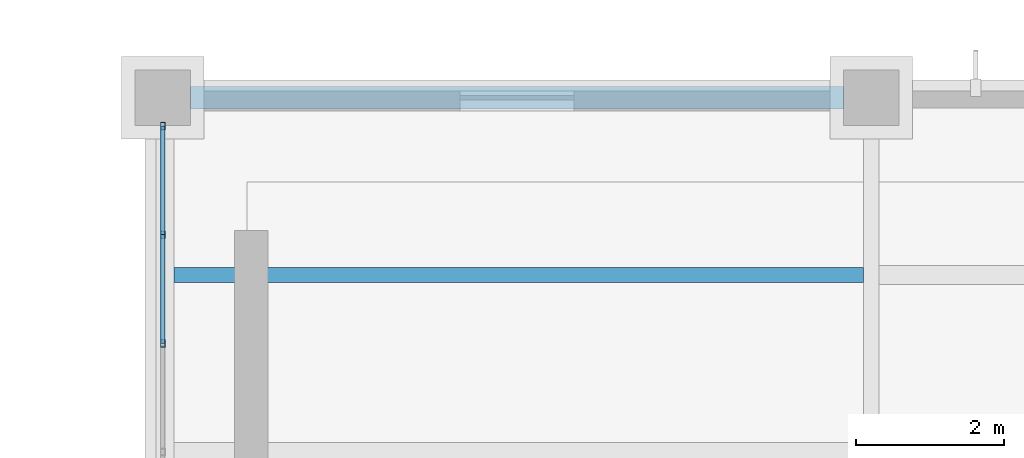
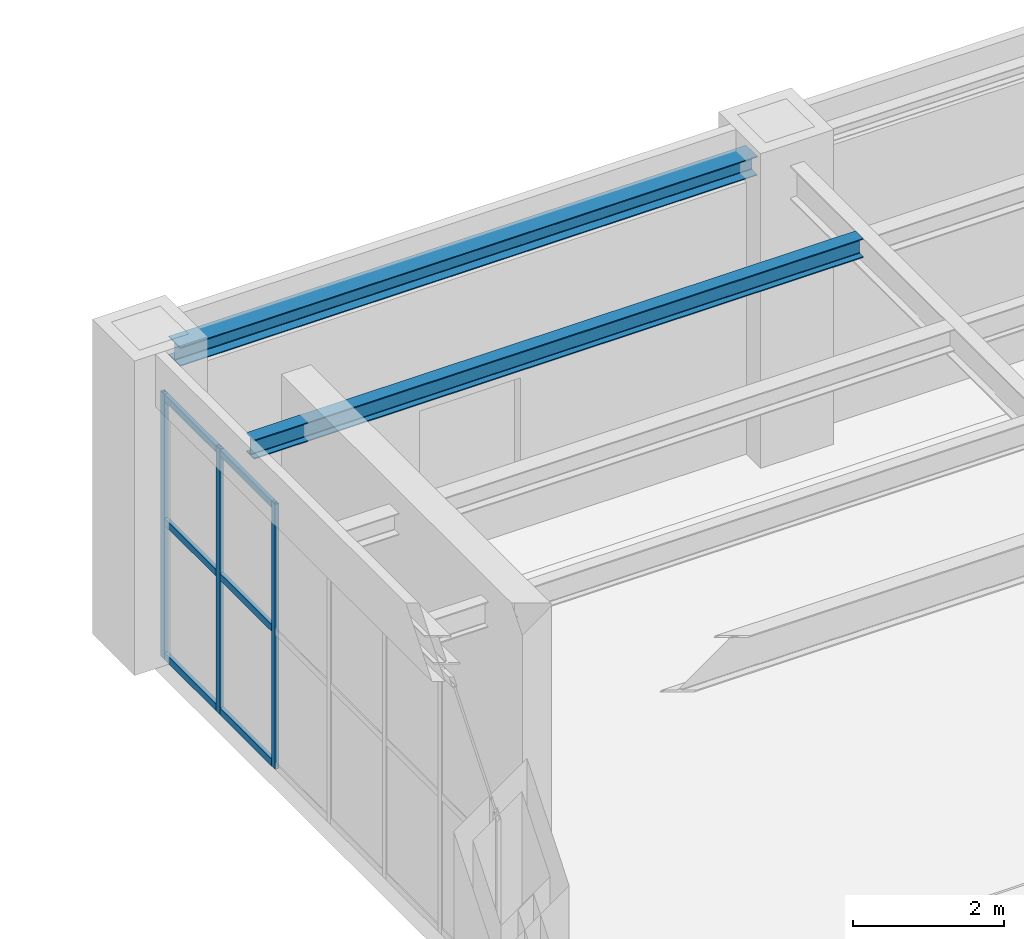
# One storey, part 46 of 174: 9 members, 2 beams, 1 element without a shape of its own.
"""IFC4 building model written with IfcOpenShell, lengths in metres."""

from ifc_helpers import new_model, si_unit, direction, frame, origin, origin_2d, place, context, subcontext, project, spatial, hollow_rectangle, i_section, extrude, material, material_profile, profile_set, type_object, element, aggregate, save


model = new_model("IFC4")

# Units and contexts
model_context = context("Model", 3, precision=1e-05, world=origin(), true_north=direction((0.0, 1.0)))
body_context = subcontext(model_context, "Body", "Model", "MODEL_VIEW")
ifc_project = project(units=[si_unit("LENGTHUNIT", "METRE"), si_unit("AREAUNIT", "SQUARE_METRE"), si_unit("VOLUMEUNIT", "CUBIC_METRE"), si_unit("PLANEANGLEUNIT", "RADIAN"), si_unit("MASSUNIT", "GRAM", prefix="KILO")], contexts=[model_context])

# Site, building, storey
site_placement = place(None, origin())
site = spatial("IfcSite", under=ifc_project, at=site_placement, CompositionType="ELEMENT")
building_placement = place(site_placement, origin())
building = spatial("IfcBuilding", under=site, at=building_placement, Name="Mavantir Sound Aquarium", CompositionType="ELEMENT")
storey_placement = place(building_placement, frame((0.0, 0.0, 5.39990234375)))
storey = spatial("IfcBuildingStorey", under=building, at=storey_placement, Name="L01", CompositionType="ELEMENT", Elevation=5.39990234375)

# Beams
ifc_material_1 = material(Name="Structural Steel ASTM A992 Gr50", Category="steel")
ifc_material_profile_1 = material_profile(ifc_material_1, i_section(OverallWidth=0.205078125, OverallDepth=0.31005859375, WebThickness=0.009521484375, FlangeThickness=0.016357421875, FilletRadius=0.012939453125, at=origin_2d()), Name="W310X74")
ifc_profile_set_1 = profile_set([ifc_material_profile_1], Name="Structural Steel ASTM A992 Gr50")
beam_type_1 = type_object("IfcBeamType", Name="BM-W310X74-I", PredefinedType="JOIST", material=ifc_profile_set_1)
beam_1_placement = place(storey_placement, frame((108.152587890625, 16.800048828125, 4.591064453125), z_axis=(1.0, 0.0, 0.0), x_axis=(0.0, 1.0, 0.0)))
element("IfcBeam", 1, at=beam_1_placement, inside=storey, type_object=beam_type_1, Name="L01 secondary floor joist SJ-31 839", PredefinedType="JOIST", context=body_context, shape_type="SweptSolid", body=[
    extrude(i_section(OverallWidth=0.205078125, OverallDepth=0.31005859375, WebThickness=0.009521484375, FlangeThickness=0.016357421875, FilletRadius=0.012939453125, at=origin_2d()), origin(), (0.0, 0.0, 1.0), 9.34130859375),
])
ifc_material_profile_2 = material_profile(ifc_material_1, i_section(OverallWidth=0.304931640625, OverallDepth=0.30810546875, WebThickness=0.010009765625, FlangeThickness=0.015380859375, FilletRadius=0.014892578125, at=origin_2d()), Name="W310X97")
ifc_profile_set_2 = profile_set([ifc_material_profile_2], Name="Structural Steel ASTM A992 Gr50")
beam_type_2 = type_object("IfcBeamType", Name="BM-W310X97-E", PredefinedType="SPANDREL", material=ifc_profile_set_2)
beam_2_placement = place(storey_placement, frame((108.375, 19.199951171875, 4.592041015625), z_axis=(1.0, 0.0, 0.0), x_axis=(0.0, 1.0, 0.0)))
element("IfcBeam", 2, at=beam_2_placement, inside=storey, type_object=beam_type_2, Name="L01 primary beam SS-31A 1405", PredefinedType="SPANDREL", context=body_context, shape_type="SweptSolid", body=[
    extrude(i_section(OverallWidth=0.304931640625, OverallDepth=0.30810546875, WebThickness=0.010009765625, FlangeThickness=0.015380859375, FilletRadius=0.014892578125, at=origin_2d()), origin(), (0.0, 0.0, 1.0), 8.85009765625),
])

# Curtain wall, members
ifc_material_2 = material(Name="Anodised Marine Aluminium and Low-E Glass", Category="aluminium")
curtain_wall_type = type_object("IfcCurtainWallType", Name="CW-T01", PredefinedType="USERDEFINED", material=ifc_material_2)
curtain_wall_placement = place(storey_placement, origin())
curtain_wall = element("IfcCurtainWall", 3, at=curtain_wall_placement, inside=storey, type_object=curtain_wall_type, Name="L01 unitised curtain wall CW-01 121", ObjectType="UNITISED GLAZING", PredefinedType="USERDEFINED")
ifc_material_3 = material(Name="Anodised Marine Aluminium 6063-T6", Category="aluminium")
ifc_material_profile_3 = material_profile(ifc_material_3, hollow_rectangle(XDim=0.06005859375, YDim=0.10009765625, WallThickness=0.00390625, at=origin_2d()), Name="ALU-MULLION-100X60")
ifc_profile_set_3 = profile_set([ifc_material_profile_3], Name="Anodised Marine Aluminium 6063-T6")
member_type_1 = type_object("IfcMemberType", Name="CW-MUL-100", PredefinedType="MULLION", material=ifc_profile_set_3)
member_1_placement = place(storey_placement, frame((108.0, 18.81689453125, 0.0), z_axis=(0.0, 0.0, 1.0), x_axis=(1.0, 0.0, 0.0)))
member_1 = element("IfcMember", 4, at=member_1_placement, type_object=member_type_1, Name="CW-L01-121 vertical mullion 1", PredefinedType="MULLION", context=body_context, shape_type="SweptSolid", body=[
    extrude(hollow_rectangle(XDim=0.06005859375, YDim=0.10009765625, WallThickness=0.00390625, at=origin_2d()), origin(), (0.0, 0.0, 1.0), 4.299072265625),
])
member_2_placement = place(storey_placement, frame((108.0, 17.3447265625, 0.0), z_axis=(0.0, 0.0, 1.0), x_axis=(1.0, 0.0, 0.0)))
member_2 = element("IfcMember", 5, at=member_2_placement, type_object=member_type_1, Name="CW-L01-121 vertical mullion 2", PredefinedType="MULLION", context=body_context, shape_type="SweptSolid", body=[
    extrude(hollow_rectangle(XDim=0.06005859375, YDim=0.10009765625, WallThickness=0.00390625, at=origin_2d()), origin(), (0.0, 0.0, 1.0), 4.299072265625),
])
member_3_placement = place(storey_placement, frame((108.0, 15.872314453125, 0.0), z_axis=(0.0, 0.0, 1.0), x_axis=(1.0, 0.0, 0.0)))
member_3 = element("IfcMember", 6, at=member_3_placement, type_object=member_type_1, Name="CW-L01-121 vertical mullion 3", PredefinedType="MULLION", context=body_context, shape_type="SweptSolid", body=[
    extrude(hollow_rectangle(XDim=0.06005859375, YDim=0.10009765625, WallThickness=0.00390625, at=origin_2d()), origin(), (0.0, 0.0, 1.0), 4.299072265625),
])
ifc_material_profile_4 = material_profile(ifc_material_3, hollow_rectangle(XDim=0.06005859375, YDim=0.110107421875, WallThickness=0.00390625, at=origin_2d()), Name="ALU-TRANSOM-110X60")
ifc_profile_set_4 = profile_set([ifc_material_profile_4], Name="Anodised Marine Aluminium 6063-T6")
member_type_2 = type_object("IfcMemberType", Name="CW-TRN-110", PredefinedType="USERDEFINED", material=ifc_profile_set_4)
member_4_placement = place(storey_placement, frame((108.0, 18.81689453125, 0.05517578125), z_axis=(0.0, -1.0, 0.0), x_axis=(1.0, 0.0, 0.0)))
member_4 = element("IfcMember", 7, at=member_4_placement, type_object=member_type_2, Name="CW-L01-121 transom 1.1", ObjectType="TRANSOM", PredefinedType="USERDEFINED", context=body_context, shape_type="SweptSolid", body=[
    extrude(hollow_rectangle(XDim=0.06005859375, YDim=0.110107421875, WallThickness=0.00390625, at=origin_2d()), origin(), (0.0, 0.0, 1.0), 1.47216796875),
])
member_5_placement = place(storey_placement, frame((108.0, 18.81689453125, 2.235595703125), z_axis=(0.0, -1.0, 0.0), x_axis=(1.0, 0.0, 0.0)))
member_5 = element("IfcMember", 8, at=member_5_placement, type_object=member_type_2, Name="CW-L01-121 transom 1.2", ObjectType="TRANSOM", PredefinedType="USERDEFINED", context=body_context, shape_type="SweptSolid", body=[
    extrude(hollow_rectangle(XDim=0.06005859375, YDim=0.110107421875, WallThickness=0.00390625, at=origin_2d()), origin(), (0.0, 0.0, 1.0), 1.47216796875),
])
member_6_placement = place(storey_placement, frame((108.0, 18.81689453125, 4.244140625), z_axis=(0.0, -1.0, 0.0), x_axis=(1.0, 0.0, 0.0)))
member_6 = element("IfcMember", 9, at=member_6_placement, type_object=member_type_2, Name="CW-L01-121 transom 1.3", ObjectType="TRANSOM", PredefinedType="USERDEFINED", context=body_context, shape_type="SweptSolid", body=[
    extrude(hollow_rectangle(XDim=0.06005859375, YDim=0.110107421875, WallThickness=0.00390625, at=origin_2d()), origin(), (0.0, 0.0, 1.0), 1.47216796875),
])
member_7_placement = place(storey_placement, frame((108.0, 17.3447265625, 0.05517578125), z_axis=(0.0, -1.0, 0.0), x_axis=(1.0, 0.0, 0.0)))
member_7 = element("IfcMember", 10, at=member_7_placement, type_object=member_type_2, Name="CW-L01-121 transom 2.1", ObjectType="TRANSOM", PredefinedType="USERDEFINED", context=body_context, shape_type="SweptSolid", body=[
    extrude(hollow_rectangle(XDim=0.06005859375, YDim=0.110107421875, WallThickness=0.00390625, at=origin_2d()), origin(), (0.0, 0.0, 1.0), 1.472412109375),
])
member_8_placement = place(storey_placement, frame((108.0, 17.3447265625, 2.235595703125), z_axis=(0.0, -1.0, 0.0), x_axis=(1.0, 0.0, 0.0)))
member_8 = element("IfcMember", 11, at=member_8_placement, type_object=member_type_2, Name="CW-L01-121 transom 2.2", ObjectType="TRANSOM", PredefinedType="USERDEFINED", context=body_context, shape_type="SweptSolid", body=[
    extrude(hollow_rectangle(XDim=0.06005859375, YDim=0.110107421875, WallThickness=0.00390625, at=origin_2d()), origin(), (0.0, 0.0, 1.0), 1.472412109375),
])
member_9_placement = place(storey_placement, frame((108.0, 17.3447265625, 4.244140625), z_axis=(0.0, -1.0, 0.0), x_axis=(1.0, 0.0, 0.0)))
member_9 = element("IfcMember", 12, at=member_9_placement, type_object=member_type_2, Name="CW-L01-121 transom 2.3", ObjectType="TRANSOM", PredefinedType="USERDEFINED", context=body_context, shape_type="SweptSolid", body=[
    extrude(hollow_rectangle(XDim=0.06005859375, YDim=0.110107421875, WallThickness=0.00390625, at=origin_2d()), origin(), (0.0, 0.0, 1.0), 1.472412109375),
])
aggregate(curtain_wall, [member_1, member_2, member_3, member_4, member_5, member_6, member_7, member_8, member_9])

save(model, "model.ifc")
